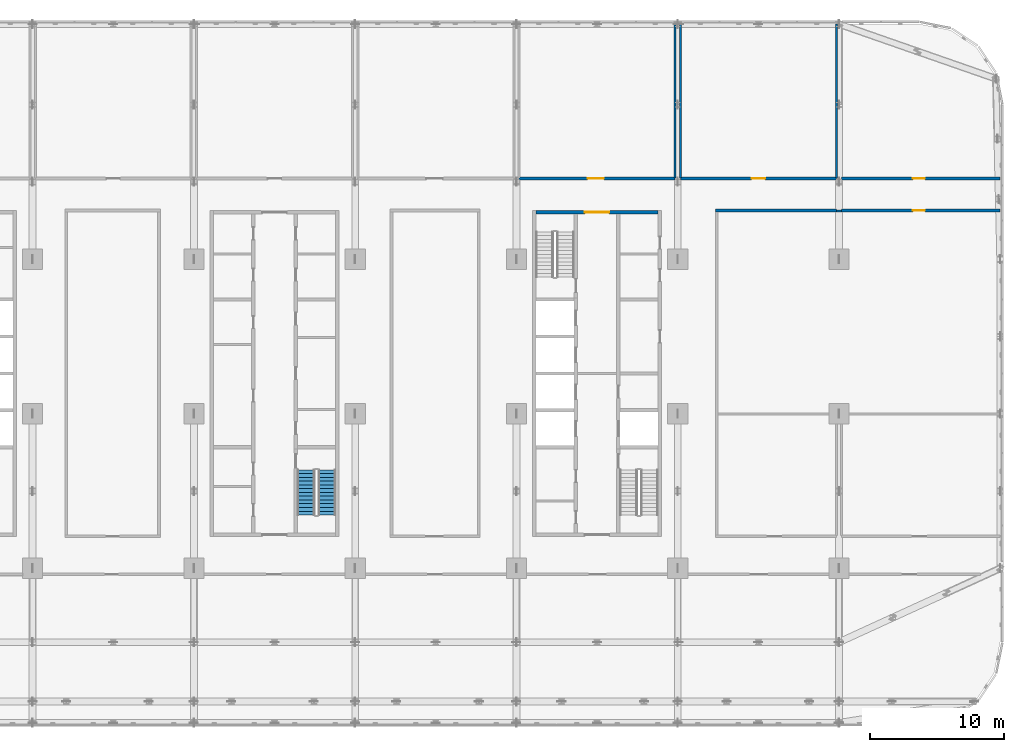
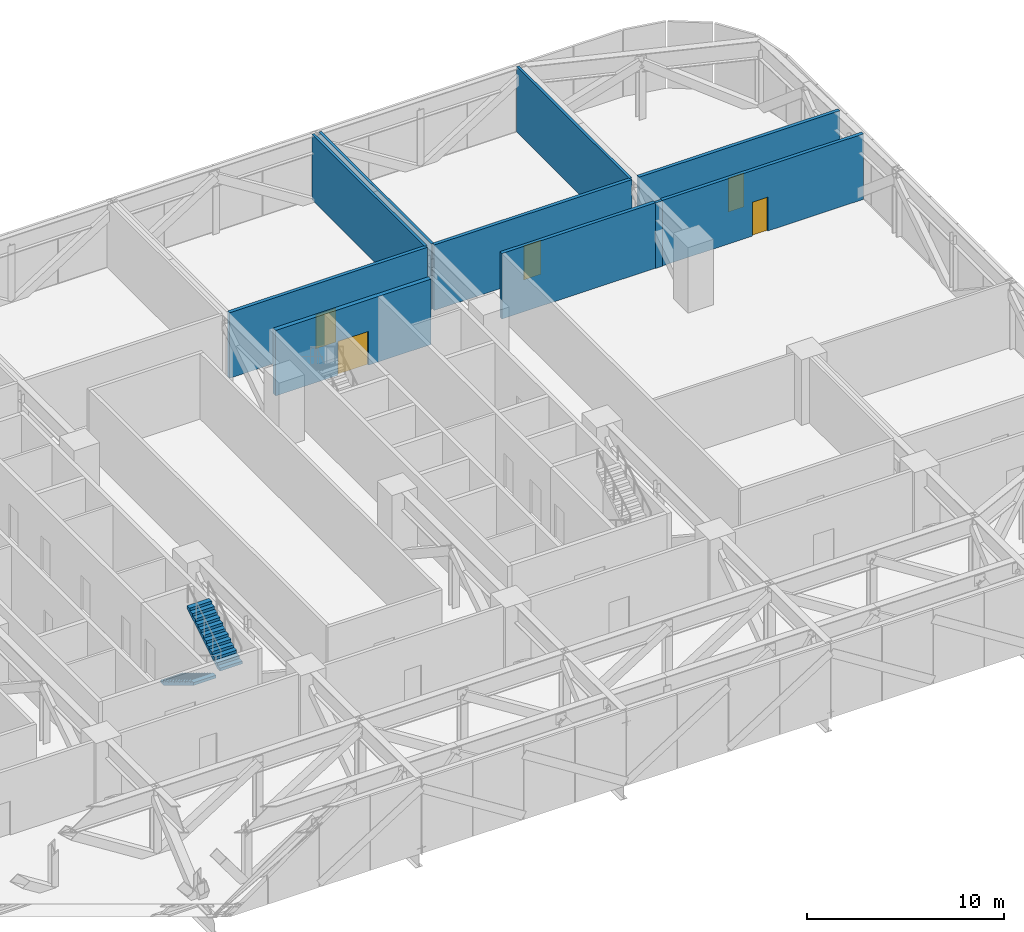
# One storey, part 13 of 26: 10 walls, 5 doors, 2 stair flights, 5 openings, 1 element without a shape of its own.
"""IFC4 building model written with IfcOpenShell, lengths in metres."""

from ifc_helpers import new_model, si_unit, direction, frame, frame_2d, origin, place, context, subcontext, project, spatial, polyline, rectangle, outline, extrude, material, layer, layer_set, type_object, element, fill, aggregate, save


model = new_model("IFC4")

# Units and contexts
model_context = context("Model", 3, precision=1e-05, world=origin(), true_north=direction((0.0, 1.0)))
body_context = subcontext(model_context, "Body", "Model", "MODEL_VIEW")
ifc_project = project(units=[si_unit("LENGTHUNIT", "METRE"), si_unit("AREAUNIT", "SQUARE_METRE"), si_unit("VOLUMEUNIT", "CUBIC_METRE"), si_unit("PLANEANGLEUNIT", "RADIAN"), si_unit("MASSUNIT", "GRAM", prefix="KILO")], contexts=[model_context])

# Site, building, storey
site_placement = place(None, origin())
site = spatial("IfcSite", under=ifc_project, at=site_placement, CompositionType="ELEMENT")
building_placement = place(site_placement, origin())
building = spatial("IfcBuilding", under=site, at=building_placement, Name="Mahtab Terrace Research Tower", CompositionType="ELEMENT")
storey_placement = place(building_placement, frame((0.0, 0.0, 80.39990234375)))
storey = spatial("IfcBuildingStorey", under=building, at=storey_placement, Name="L18", CompositionType="ELEMENT", Elevation=80.39990234375)

# Wall, opening, door
ifc_material_1 = material(Name="Concrete C70/85", Category="concrete")
ifc_layer_1 = layer(ifc_material_1, 0.25)
ifc_layer_set_1 = layer_set([ifc_layer_1], Name="Core wall 250")
wall_type_1 = type_object("IfcWallType", Name="Core wall 250", PredefinedType="SOLIDWALL", material=ifc_layer_set_1)
wall_1_placement = place(storey_placement, frame((19.449951171875, 15.0, 0.0), z_axis=(0.0, 0.0, 1.0), x_axis=(1.0, 0.0, 0.0)))
wall_1 = element("IfcWall", 1, at=wall_1_placement, inside=storey, type_object=wall_type_1, Name="Core wall C endN", PredefinedType="SOLIDWALL", context=body_context, shape_type="SweptSolid", body=[
    extrude(rectangle(XDim=9.10009765625, YDim=0.25, at=frame_2d((4.550048828125, 0.0))), origin(), (0.0, 0.0, 1.0), 4.06005859375),
])
opening_1_placement = place(wall_1_placement, frame((3.64990234375, 0.0, 0.0)))
opening_1 = element("IfcOpeningElement", 2, at=opening_1_placement, cuts=wall_1, Name="Opening C-N1", PredefinedType="OPENING", context=body_context, shape_type="SweptSolid", body=[
    extrude(rectangle(XDim=1.800048828125, YDim=2.10009765625, at=frame_2d((0.89990234375, 1.050048828125))), frame((0.0, 0.135009765625, 0.0), z_axis=(0.0, -1.0, 0.0), x_axis=(1.0, 0.0, 0.0)), (0.0, 0.0, 1.0), 0.27001953125),
])
ifc_material_2 = material(Name="Steel fire door", Category="steel")
door_type_1 = type_object("IfcDoorType", Name="Lobby double door 1800x2100 1 HR", OperationType="DOUBLE_DOOR_SINGLE_SWING", PredefinedType="DOOR", material=ifc_material_2)
door_1_placement = place(opening_1_placement, origin())
door_1 = element("IfcDoor", 3, at=door_1_placement, inside=storey, type_object=door_type_1, Name="Core entrance door C N", OperationType="DOUBLE_DOOR_SINGLE_SWING", OverallHeight=2.10009765625, OverallWidth=1.800048828125, PredefinedType="DOOR", context=body_context, shape_type="SweptSolid", body=[
    extrude(rectangle(XDim=1.800048828125, YDim=2.10009765625, at=frame_2d((0.89990234375, 1.050048828125))), frame((0.0, 0.02490234375, 0.0), z_axis=(0.0, -1.0, 0.0), x_axis=(1.0, 0.0, 0.0)), (0.0, 0.0, 1.0), 0.050048828125),
])
fill(opening_1, door_1)

# Wall
ifc_material_3 = material(Name="Gypsum board corridor wall on steel studs", Category="steel")
ifc_layer_2 = layer(ifc_material_3, 0.199951171875)
ifc_layer_set_2 = layer_set([ifc_layer_2], Name="WALL CORRIDOR 200")
wall_type_2 = type_object("IfcWallType", Name="WALL CORRIDOR 200", PredefinedType="PARTITIONING", material=ifc_layer_set_2)
wall_2_placement = place(storey_placement, frame((32.800048828125, 15.125, 0.0), z_axis=(0.0, 0.0, 1.0), x_axis=(1.0, 0.0, 0.0)))
element("IfcWall", 4, at=wall_2_placement, inside=storey, type_object=wall_type_2, Name="L18-W022", PredefinedType="PARTITIONING", context=body_context, shape_type="SweptSolid", body=[
    extrude(rectangle(XDim=9.0, YDim=0.199951171875, at=frame_2d((4.5, 0.0))), origin(), (0.0, 0.0, 1.0), 4.06005859375),
])

# Wall, opening, door
wall_3_placement = place(storey_placement, frame((42.199951171875, 15.125, 0.0), z_axis=(0.0, 0.0, 1.0), x_axis=(1.0, 0.0, 0.0)))
wall_3 = element("IfcWall", 5, at=wall_3_placement, inside=storey, type_object=wall_type_2, Name="L18-W023", PredefinedType="PARTITIONING", context=body_context, shape_type="SweptSolid", body=[
    extrude(rectangle(XDim=11.800048828125, YDim=0.199951171875, at=frame_2d((5.89990234375, 0.0))), origin(), (0.0, 0.0, 1.0), 4.06005859375),
])
opening_2_placement = place(wall_3_placement, frame((5.300048828125, 0.0, 0.0)))
opening_2 = element("IfcOpeningElement", 6, at=opening_2_placement, cuts=wall_3, Name="Opening L18-115", PredefinedType="OPENING", context=body_context, shape_type="SweptSolid", body=[
    extrude(rectangle(XDim=0.89990234375, YDim=2.10009765625, at=frame_2d((0.449951171875, 1.050048828125))), frame((0.0, 0.10986328125, 0.0), z_axis=(0.0, -1.0, 0.0), x_axis=(1.0, 0.0, 0.0)), (0.0, 0.0, 1.0), 0.219970703125),
])
ifc_material_4 = material(Name="Timber door leaf in steel frame", Category="steel")
door_type_2 = type_object("IfcDoorType", Name="DOOR 0900X2100 FD30S", OperationType="SINGLE_SWING_LEFT", PredefinedType="DOOR", material=ifc_material_4)
door_2_placement = place(opening_2_placement, origin())
door_2 = element("IfcDoor", 7, at=door_2_placement, inside=storey, type_object=door_type_2, Name="Door L18-115", OperationType="SINGLE_SWING_RIGHT", OverallHeight=2.10009765625, OverallWidth=0.89990234375, PredefinedType="DOOR", context=body_context, shape_type="SweptSolid", body=[
    extrude(rectangle(XDim=0.89990234375, YDim=2.10009765625, at=frame_2d((0.449951171875, 1.050048828125))), frame((0.0, 0.02490234375, 0.0), z_axis=(0.0, -1.0, 0.0), x_axis=(1.0, 0.0, 0.0)), (0.0, 0.0, 1.0), 0.050048828125),
])
fill(opening_2, door_2)

wall_4_placement = place(storey_placement, frame((18.199951171875, 17.5, 0.0), z_axis=(0.0, 0.0, 1.0), x_axis=(1.0, 0.0, 0.0)))
wall_4 = element("IfcWall", 8, at=wall_4_placement, inside=storey, type_object=wall_type_2, Name="L18-W029", PredefinedType="PARTITIONING", context=body_context, shape_type="SweptSolid", body=[
    extrude(rectangle(XDim=11.60009765625, YDim=0.199951171875, at=frame_2d((5.800048828125, 0.0))), origin(), (0.0, 0.0, 1.0), 4.06005859375),
])
opening_3_placement = place(wall_4_placement, frame((5.10009765625, 0.0, 0.0)))
opening_3 = element("IfcOpeningElement", 9, at=opening_3_placement, cuts=wall_4, Name="Opening L18-122", PredefinedType="OPENING", context=body_context, shape_type="SweptSolid", body=[
    extrude(rectangle(XDim=1.199951171875, YDim=2.10009765625, at=frame_2d((0.60009765625, 1.050048828125))), frame((0.0, 0.10986328125, 0.0), z_axis=(0.0, -1.0, 0.0), x_axis=(1.0, 0.0, 0.0)), (0.0, 0.0, 1.0), 0.219970703125),
])
door_type_3 = type_object("IfcDoorType", Name="DOOR 1200X2100 FD30S", OperationType="SINGLE_SWING_LEFT", PredefinedType="DOOR", material=ifc_material_4)
door_3_placement = place(opening_3_placement, origin())
door_3 = element("IfcDoor", 10, at=door_3_placement, inside=storey, type_object=door_type_3, Name="Door L18-122", OperationType="SINGLE_SWING_LEFT", OverallHeight=2.10009765625, OverallWidth=1.199951171875, PredefinedType="DOOR", context=body_context, shape_type="SweptSolid", body=[
    extrude(rectangle(XDim=1.199951171875, YDim=2.10009765625, at=frame_2d((0.60009765625, 1.050048828125))), frame((0.0, 0.02490234375, 0.0), z_axis=(0.0, -1.0, 0.0), x_axis=(1.0, 0.0, 0.0)), (0.0, 0.0, 1.0), 0.050048828125),
])
fill(opening_3, door_3)

wall_5_placement = place(storey_placement, frame((30.199951171875, 17.5, 0.0), z_axis=(0.0, 0.0, 1.0), x_axis=(1.0, 0.0, 0.0)))
wall_5 = element("IfcWall", 11, at=wall_5_placement, inside=storey, type_object=wall_type_2, Name="L18-W030", PredefinedType="PARTITIONING", context=body_context, shape_type="SweptSolid", body=[
    extrude(rectangle(XDim=11.60009765625, YDim=0.199951171875, at=frame_2d((5.800048828125, 0.0))), origin(), (0.0, 0.0, 1.0), 4.06005859375),
])
opening_4_placement = place(wall_5_placement, frame((5.300048828125, 0.0, 0.0)))
opening_4 = element("IfcOpeningElement", 12, at=opening_4_placement, cuts=wall_5, Name="Opening L18-123", PredefinedType="OPENING", context=body_context, shape_type="SweptSolid", body=[
    extrude(rectangle(XDim=1.0, YDim=2.10009765625, at=frame_2d((0.5, 1.050048828125))), frame((0.0, 0.10986328125, 0.0), z_axis=(0.0, -1.0, 0.0), x_axis=(1.0, 0.0, 0.0)), (0.0, 0.0, 1.0), 0.219970703125),
])
door_type_4 = type_object("IfcDoorType", Name="DOOR 1000X2100 FD30S", OperationType="SINGLE_SWING_LEFT", PredefinedType="DOOR", material=ifc_material_4)
door_4_placement = place(opening_4_placement, origin())
door_4 = element("IfcDoor", 13, at=door_4_placement, inside=storey, type_object=door_type_4, Name="Door L18-123", OperationType="SINGLE_SWING_RIGHT", OverallHeight=2.10009765625, OverallWidth=1.0, PredefinedType="DOOR", context=body_context, shape_type="SweptSolid", body=[
    extrude(rectangle(XDim=1.0, YDim=2.10009765625, at=frame_2d((0.5, 1.050048828125))), frame((0.0, 0.02490234375, 0.0), z_axis=(0.0, -1.0, 0.0), x_axis=(1.0, 0.0, 0.0)), (0.0, 0.0, 1.0), 0.050048828125),
])
fill(opening_4, door_4)

wall_6_placement = place(storey_placement, frame((42.199951171875, 17.5, 0.0), z_axis=(0.0, 0.0, 1.0), x_axis=(1.0, 0.0, 0.0)))
wall_6 = element("IfcWall", 14, at=wall_6_placement, inside=storey, type_object=wall_type_2, Name="L18-W031", PredefinedType="PARTITIONING", context=body_context, shape_type="SweptSolid", body=[
    extrude(rectangle(XDim=11.800048828125, YDim=0.199951171875, at=frame_2d((5.89990234375, 0.0))), origin(), (0.0, 0.0, 1.0), 4.06005859375),
])
opening_5_placement = place(wall_6_placement, frame((5.300048828125, 0.0, 0.0)))
opening_5 = element("IfcOpeningElement", 15, at=opening_5_placement, cuts=wall_6, Name="Opening L18-124", PredefinedType="OPENING", context=body_context, shape_type="SweptSolid", body=[
    extrude(rectangle(XDim=0.89990234375, YDim=2.10009765625, at=frame_2d((0.449951171875, 1.050048828125))), frame((0.0, 0.10986328125, 0.0), z_axis=(0.0, -1.0, 0.0), x_axis=(1.0, 0.0, 0.0)), (0.0, 0.0, 1.0), 0.219970703125),
])
door_5_placement = place(opening_5_placement, origin())
door_5 = element("IfcDoor", 16, at=door_5_placement, inside=storey, type_object=door_type_2, Name="Door L18-124", OperationType="SINGLE_SWING_RIGHT", OverallHeight=2.10009765625, OverallWidth=0.89990234375, PredefinedType="DOOR", context=body_context, shape_type="SweptSolid", body=[
    extrude(rectangle(XDim=0.89990234375, YDim=2.10009765625, at=frame_2d((0.449951171875, 1.050048828125))), frame((0.0, 0.02490234375, 0.0), z_axis=(0.0, -1.0, 0.0), x_axis=(1.0, 0.0, 0.0)), (0.0, 0.0, 1.0), 0.050048828125),
])
fill(opening_5, door_5)

# Walls
ifc_material_5 = material(Name="Gypsum board partition on steel studs", Category="steel")
ifc_layer_3 = layer(ifc_material_5, 0.14990234375)
ifc_layer_set_3 = layer_set([ifc_layer_3], Name="WALL PARTITION 150")
wall_type_3 = type_object("IfcWallType", Name="WALL PARTITION 150", PredefinedType="PARTITIONING", material=ifc_layer_set_3)
wall_7_placement = place(storey_placement, frame((41.800048828125, 15.074951171875, 0.0), z_axis=(0.0, 0.0, 1.0), x_axis=(1.0, 0.0, 0.0)))
element("IfcWall", 17, at=wall_7_placement, inside=storey, type_object=wall_type_3, Name="L18-W018", PredefinedType="PARTITIONING", context=body_context, shape_type="SweptSolid", body=[
    extrude(rectangle(XDim=0.39990234375, YDim=0.14990234375, at=frame_2d((0.199951171875, 0.0))), origin(), (0.0, 0.0, 1.0), 4.06005859375),
])
for number, where, z_axis, x_axis, name in (
    (18, (29.800048828125, 17.550048828125, 0.0), (0.0, 0.0, 1.0), (0.0, 1.0, 0.0), "L18-W046"),
    (19, (30.199951171875, 17.550048828125, 0.0), (0.0, 0.0, 1.0), (0.0, 1.0, 0.0), "L18-W047"),
    (20, (41.800048828125, 17.550048828125, 0.0), (0.0, 0.0, 1.0), (0.0, 1.0, 0.0), "L18-W050"),
):
    element("IfcWall", number, at=place(storey_placement, frame(where, z_axis=z_axis, x_axis=x_axis)), inside=storey, type_object=wall_type_3, Name=name, PredefinedType="PARTITIONING", context=body_context, shape_type="SweptSolid", body=[
        extrude(rectangle(XDim=11.449951171875, YDim=0.14990234375, at=frame_2d((5.72509765625, 0.0))), origin(), (0.0, 0.0, 1.0), 4.06005859375),
    ])

# Stair, stair flights
ifc_material_6 = material(Name="Exit stair half-turn")
stair_type = type_object("IfcStairType", Name="Exit stair half-turn", PredefinedType="HALF_TURN_STAIR", material=ifc_material_6)
stair_placement = place(storey_placement, origin())
stair = element("IfcStair", 21, at=stair_placement, inside=storey, type_object=stair_type, Name="L18 Protected exit stair ST2", PredefinedType="HALF_TURN_STAIR")
ifc_material_7 = material(Name="Concrete C40/50", Category="concrete")
stair_flight_type = type_object("IfcStairFlightType", Name="Exit stair flight 1300", PredefinedType="STRAIGHT", material=ifc_material_7)
stair_flight_1_placement = place(storey_placement, frame((2.35009765625, -4.175048828125, 0.0), z_axis=(0.0, 0.0, 1.0), x_axis=(0.0, -1.0, 0.0)))
stair_flight_1 = element("IfcStairFlight", 22, at=stair_flight_1_placement, type_object=stair_flight_type, Name="ST2 flight 1", NumberOfRisers=13, NumberOfTreads=12, PredefinedType="STRAIGHT", RiserHeight=0.169230769, TreadLength=0.28, context=body_context, shape_type="SweptSolid", body=[
    extrude(outline(polyline([(0.0, 0.0), (0.0, 0.169189453125), (0.280029296875, 0.169189453125), (0.280029296875, 0.33837890625), (0.56005859375, 0.33837890625), (0.56005859375, 0.5078125), (0.840087890625, 0.5078125), (0.840087890625, 0.677001953125), (1.1201171875, 0.677001953125), (1.1201171875, 0.84619140625), (1.39990234375, 0.84619140625), (1.39990234375, 1.015380859375), (1.679931640625, 1.015380859375), (1.679931640625, 1.1845703125), (1.9599609375, 1.1845703125), (1.9599609375, 1.353759765625), (2.239990234375, 1.353759765625), (2.239990234375, 1.523193359375), (2.52001953125, 1.523193359375), (2.52001953125, 1.6923828125), (2.800048828125, 1.6923828125), (2.800048828125, 1.861572265625), (3.080078125, 1.861572265625), (3.080078125, 2.03076171875), (3.360107421875, 2.03076171875), (3.360107421875, 2.199951171875), (3.360107421875, 1.855712890625), (0.289794921875, 0.0), (0.0, 0.0)])), frame((0.0, 0.64990234375, 0.0), z_axis=(0.0, -1.0, 0.0), x_axis=(1.0, 0.0, 0.0)), (0.0, 0.0, 1.0), 1.300048828125),
])
stair_flight_2_placement = place(storey_placement, frame((3.89990234375, -7.534912109375, 2.2001953125), z_axis=(0.0, 0.0, 1.0), x_axis=(0.0, 1.0, 0.0)))
stair_flight_2 = element("IfcStairFlight", 23, at=stair_flight_2_placement, type_object=stair_flight_type, Name="ST2 flight 2", NumberOfRisers=13, NumberOfTreads=12, PredefinedType="STRAIGHT", RiserHeight=0.169230769, TreadLength=0.28, context=body_context, shape_type="SweptSolid", body=[
    extrude(outline(polyline([(0.0, 0.0), (0.0, 0.169189453125), (0.280029296875, 0.169189453125), (0.280029296875, 0.33837890625), (0.56005859375, 0.33837890625), (0.56005859375, 0.5078125), (0.840087890625, 0.5078125), (0.840087890625, 0.677001953125), (1.1201171875, 0.677001953125), (1.1201171875, 0.84619140625), (1.39990234375, 0.84619140625), (1.39990234375, 1.015380859375), (1.679931640625, 1.015380859375), (1.679931640625, 1.1845703125), (1.9599609375, 1.1845703125), (1.9599609375, 1.353759765625), (2.239990234375, 1.353759765625), (2.239990234375, 1.523193359375), (2.52001953125, 1.523193359375), (2.52001953125, 1.6923828125), (2.800048828125, 1.6923828125), (2.800048828125, 1.861572265625), (3.080078125, 1.861572265625), (3.080078125, 2.03076171875), (3.360107421875, 2.03076171875), (3.360107421875, 2.199951171875), (3.360107421875, 1.855712890625), (0.289794921875, 0.0), (0.0, 0.0)])), frame((0.0, 0.64990234375, 0.0), z_axis=(0.0, -1.0, 0.0), x_axis=(1.0, 0.0, 0.0)), (0.0, 0.0, 1.0), 1.300048828125),
])
aggregate(stair, [stair_flight_1, stair_flight_2])

save(model, "model.ifc")
